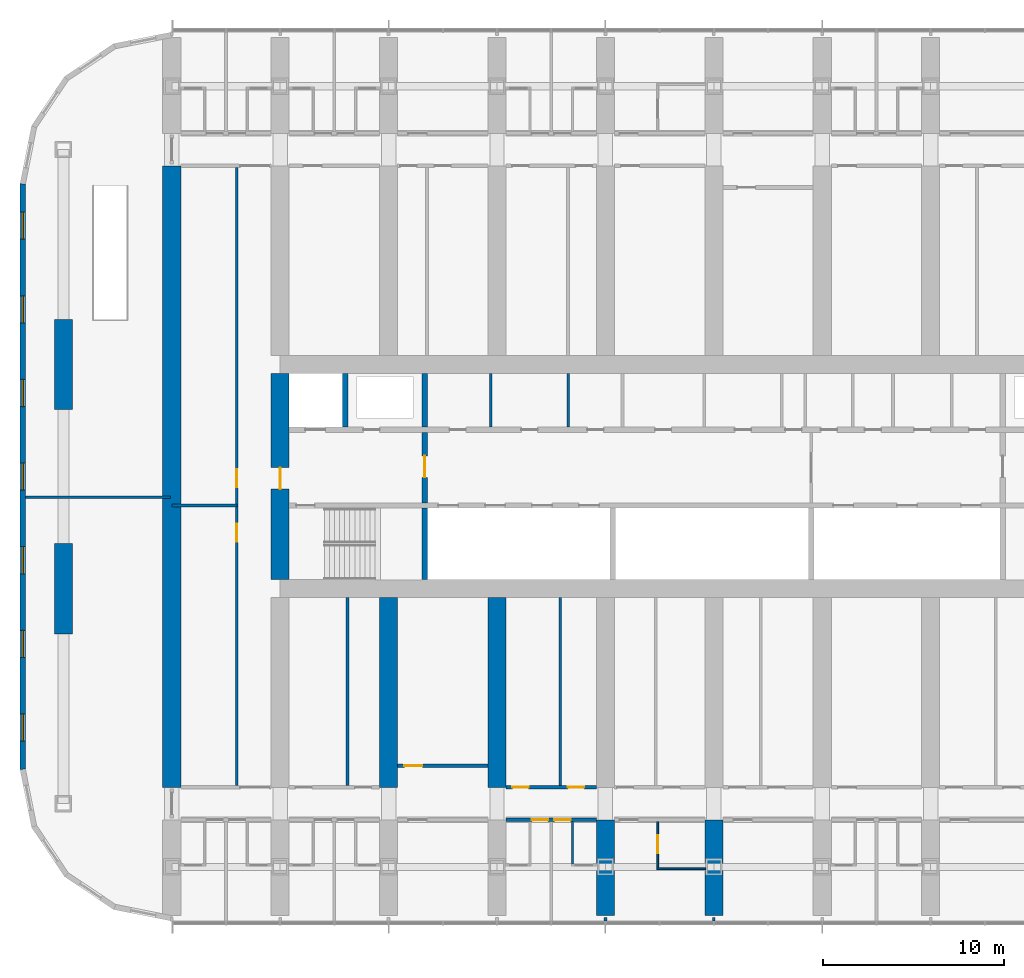
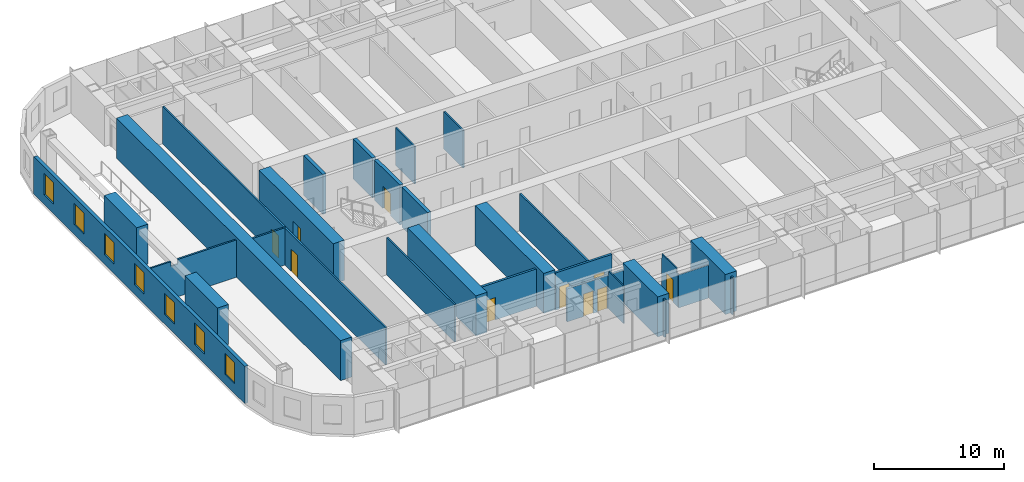
# One storey, part 11 of 24: 28 walls, 10 doors, 7 windows, 17 openings.
"""IFC4 building model written with IfcOpenShell, lengths in metres."""

from ifc_helpers import new_model, si_unit, direction, frame, frame_2d, origin, place, context, subcontext, project, spatial, polyline, rectangle, outline, extrude, material, layer, layer_set, type_object, element, fill, save


model = new_model("IFC4")

# Units and contexts
model_context = context("Model", 3, precision=1e-05, world=origin(), true_north=direction((0.0, 1.0)))
body_context = subcontext(model_context, "Body", "Model", "MODEL_VIEW")
ifc_project = project(units=[si_unit("LENGTHUNIT", "METRE"), si_unit("AREAUNIT", "SQUARE_METRE"), si_unit("VOLUMEUNIT", "CUBIC_METRE"), si_unit("PLANEANGLEUNIT", "RADIAN"), si_unit("MASSUNIT", "GRAM", prefix="KILO")], contexts=[model_context])

# Site, building, storey
site_placement = place(None, origin())
site = spatial("IfcSite", under=ifc_project, at=site_placement, CompositionType="ELEMENT")
building_placement = place(site_placement, origin())
building = spatial("IfcBuilding", under=site, at=building_placement, Name="Orbita Commons", CompositionType="ELEMENT")
storey_placement = place(building_placement, frame((0.0, 0.0, 27.699951171875)))
storey = spatial("IfcBuildingStorey", under=building, at=storey_placement, Name="L06", CompositionType="ELEMENT", Elevation=27.699951171875)

# Wall
ifc_material_1 = material(Name="Concrete C50/60", Category="concrete")
ifc_layer_1 = layer(ifc_material_1, 0.300048828125)
ifc_layer_set_1 = layer_set([ifc_layer_1], Name="Concrete C50/60")
wall_type_1 = type_object("IfcWallType", Name="Core inner wall 300 C50/60", PredefinedType="SHEAR", material=ifc_layer_set_1)
wall_1_placement = place(storey_placement, frame((26.0, 26.300048828125, 0.0), z_axis=(0.0, 0.0, 1.0), x_axis=(0.0, 1.0, 0.0)))
element("IfcWall", 1, at=wall_1_placement, inside=storey, type_object=wall_type_1, Name="Stair S1 wall L06", PredefinedType="SHEAR", context=body_context, shape_type="SweptSolid", body=[
    extrude(rectangle(XDim=3.949951171875, YDim=0.300048828125, at=frame_2d((1.97509765625, 0.0))), origin(), (0.0, 0.0, 1.0), 3.75),
])

# Wall, opening, door
wall_2_placement = place(storey_placement, frame((26.0, 30.550048828125, 0.0), z_axis=(0.0, 0.0, 1.0), x_axis=(0.0, 1.0, 0.0)))
wall_2 = element("IfcWall", 2, at=wall_2_placement, inside=storey, type_object=wall_type_1, Name="Firefighting lobby wall west L06", PredefinedType="SHEAR", context=body_context, shape_type="SweptSolid", body=[
    extrude(rectangle(XDim=3.89990234375, YDim=0.300048828125, at=frame_2d((1.949951171875, 0.0))), origin(), (0.0, 0.0, 1.0), 3.75),
])
opening_1_placement = place(wall_2_placement, frame((1.39990234375, 0.0, 0.0)))
opening_1 = element("IfcOpeningElement", 3, at=opening_1_placement, cuts=wall_2, Name="Opening D04", PredefinedType="OPENING", context=body_context, shape_type="SweptSolid", body=[
    extrude(rectangle(XDim=1.199951171875, YDim=2.10009765625, at=frame_2d((0.60009765625, 1.050048828125))), frame((0.0, 0.159912109375, 0.0), z_axis=(0.0, -1.0, 0.0), x_axis=(1.0, 0.0, 0.0)), (0.0, 0.0, 1.0), 0.320068359375),
])
ifc_material_2 = material(Name="Steel-faced fire door leaf", Category="steel")
door_type_1 = type_object("IfcDoorType", Name="Service door 20 min 1200x2100", OperationType="SINGLE_SWING_LEFT", PredefinedType="DOOR", material=ifc_material_2)
door_1_placement = place(opening_1_placement, origin())
door_1 = element("IfcDoor", 4, at=door_1_placement, inside=storey, type_object=door_type_1, Name="Lift lobby door west", OperationType="SINGLE_SWING_LEFT", OverallHeight=2.10009765625, OverallWidth=1.199951171875, PredefinedType="DOOR", context=body_context, shape_type="SweptSolid", body=[
    extrude(rectangle(XDim=1.199951171875, YDim=2.10009765625, at=frame_2d((0.60009765625, 1.050048828125))), frame((0.0, 0.02490234375, 0.0), z_axis=(0.0, -1.0, 0.0), x_axis=(1.0, 0.0, 0.0)), (0.0, 0.0, 1.0), 0.050048828125),
])
fill(opening_1, door_1)

# Walls
for number, where, z_axis, x_axis, name in (
    (5, (21.60009765625, 34.75, 0.0), (0.0, 0.0, 1.0), (0.0, 1.0, 0.0), "Firefighting lift FL1 shaft wall L06"),
    (6, (26.0, 34.75, 0.0), (0.0, 0.0, 1.0), (0.0, 1.0, 0.0), "Riser wall west L06"),
):
    element("IfcWall", number, at=place(storey_placement, frame(where, z_axis=z_axis, x_axis=x_axis)), inside=storey, type_object=wall_type_1, Name=name, PredefinedType="SHEAR", context=body_context, shape_type="SweptSolid", body=[
        extrude(rectangle(XDim=2.949951171875, YDim=0.300048828125, at=frame_2d((1.47509765625, 0.0))), origin(), (0.0, 0.0, 1.0), 3.75),
    ])
ifc_material_3 = material(Name="Concrete blockwork", Category="masonry")
ifc_layer_2 = layer(ifc_material_3, 0.14990234375)
ifc_layer_set_2 = layer_set([ifc_layer_2], Name="Concrete blockwork")
wall_type_2 = type_object("IfcWallType", Name="Core partition 150 blockwork", PredefinedType="SOLIDWALL", material=ifc_layer_set_2)
for number, where, z_axis, x_axis, name in (
    (7, (29.65087890625, 34.75, 0.0), (0.0, 0.0, 1.0), (0.0, 1.0, 0.0), "Core partition 150 blockwork L06"),
    (8, (33.9462890625, 34.75, 0.0), (0.0, 0.0, 1.0), (0.0, 1.0, 0.0), "Core partition 150 blockwork L06"),
):
    element("IfcWall", number, at=place(storey_placement, frame(where, z_axis=z_axis, x_axis=x_axis)), inside=storey, type_object=wall_type_2, Name=name, PredefinedType="SOLIDWALL", context=body_context, shape_type="SweptSolid", body=[
        extrude(rectangle(XDim=2.949951171875, YDim=0.14990234375, at=frame_2d((1.47509765625, 0.0))), origin(), (0.0, 0.0, 1.0), 3.5),
    ])

# Wall, opening, door
ifc_material_4 = material(Name="Concrete C50/60", Category="concrete")
ifc_layer_3 = layer(ifc_material_4, 1.0)
ifc_layer_set_3 = layer_set([ifc_layer_3], Name="Concrete C50/60")
wall_type_3 = type_object("IfcWallType", Name="Core wall 1000 C50/60", PredefinedType="SHEAR", material=ifc_layer_set_3)
wall_3_placement = place(storey_placement, frame((18.0, 26.300048828125, 0.0), z_axis=(0.0, 0.0, 1.0), x_axis=(0.0, 1.0, 0.0)))
wall_3 = element("IfcWall", 9, at=wall_3_placement, inside=storey, type_object=wall_type_3, Name="Core end wall west L06", PredefinedType="SHEAR", context=body_context, shape_type="SweptSolid", body=[
    extrude(rectangle(XDim=11.39990234375, YDim=1.0, at=frame_2d((5.699951171875, 0.0))), origin(), (0.0, 0.0, 1.0), 3.75),
])
opening_2_placement = place(wall_3_placement, frame((5.0, 0.0, 0.0)))
opening_2 = element("IfcOpeningElement", 10, at=opening_2_placement, cuts=wall_3, Name="Opening D01", PredefinedType="OPENING", context=body_context, shape_type="SweptSolid", body=[
    extrude(rectangle(XDim=1.199951171875, YDim=2.10009765625, at=frame_2d((0.60009765625, 1.050048828125))), frame((0.0, 0.510009765625, 0.0), z_axis=(0.0, -1.0, 0.0), x_axis=(1.0, 0.0, 0.0)), (0.0, 0.0, 1.0), 1.02001953125),
])
ifc_material_5 = material(Name="Steel-faced fire door leaf", Category="steel")
door_type_2 = type_object("IfcDoorType", Name="Fire door 90 min 1200x2100", OperationType="SINGLE_SWING_LEFT", PredefinedType="DOOR", material=ifc_material_5)
door_2_placement = place(opening_2_placement, origin())
door_2 = element("IfcDoor", 11, at=door_2_placement, inside=storey, type_object=door_type_2, Name="Firefighting lobby west door", OperationType="SINGLE_SWING_LEFT", OverallHeight=2.10009765625, OverallWidth=1.199951171875, PredefinedType="DOOR", context=body_context, shape_type="SweptSolid", body=[
    extrude(rectangle(XDim=1.199951171875, YDim=2.10009765625, at=frame_2d((0.60009765625, 1.050048828125))), frame((0.0, 0.02490234375, 0.0), z_axis=(0.0, -1.0, 0.0), x_axis=(1.0, 0.0, 0.0)), (0.0, 0.0, 1.0), 0.050048828125),
])
fill(opening_2, door_2)

# Wall, openings, doors
ifc_material_6 = material(Name="Concrete blockwork", Category="masonry")
ifc_layer_4 = layer(ifc_material_6, 0.199951171875)
ifc_layer_set_4 = layer_set([ifc_layer_4], Name="Concrete blockwork")
wall_type_4 = type_object("IfcWallType", Name="Corridor wall 200 blockwork", PredefinedType="SOLIDWALL", material=ifc_layer_set_4)
wall_4_placement = place(storey_placement, frame((30.5, 13.0, 0.0), z_axis=(0.0, 0.0, 1.0), x_axis=(1.0, 0.0, 0.0)))
wall_4 = element("IfcWall", 12, at=wall_4_placement, inside=storey, type_object=wall_type_4, Name="Corridor wall 200 blockwork L06", PredefinedType="SOLIDWALL", context=body_context, shape_type="SweptSolid", body=[
    extrude(outline(polyline([(0.0, 0.0), (5.0, 0.0), (5.0, 3.10009765625), (0.0, 3.10009765625), (0.0, 0.0)])), frame((0.0, 0.10009765625, 0.0), z_axis=(0.0, -1.0, 0.0), x_axis=(1.0, 0.0, 0.0)), (0.0, 0.0, 1.0), 0.199951171875),
])
opening_3_placement = place(wall_4_placement, frame((1.425048828125, 0.0, 0.0)))
opening_3 = element("IfcOpeningElement", 13, at=opening_3_placement, cuts=wall_4, Name="Opening D11", PredefinedType="OPENING", context=body_context, shape_type="SweptSolid", body=[
    extrude(rectangle(XDim=0.89990234375, YDim=2.10009765625, at=frame_2d((0.449951171875, 1.050048828125))), frame((0.0, 0.10986328125, 0.0), z_axis=(0.0, -1.0, 0.0), x_axis=(1.0, 0.0, 0.0)), (0.0, 0.0, 1.0), 0.219970703125),
])
opening_4_placement = place(wall_4_placement, frame((2.675048828125, 0.0, 0.0)))
opening_4 = element("IfcOpeningElement", 14, at=opening_4_placement, cuts=wall_4, Name="Opening D11", PredefinedType="OPENING", context=body_context, shape_type="SweptSolid", body=[
    extrude(rectangle(XDim=0.89990234375, YDim=2.10009765625, at=frame_2d((0.449951171875, 1.050048828125))), frame((0.0, 0.10986328125, 0.0), z_axis=(0.0, -1.0, 0.0), x_axis=(1.0, 0.0, 0.0)), (0.0, 0.0, 1.0), 0.219970703125),
])
ifc_material_7 = material(Name="Steel-faced fire door leaf", Category="steel")
door_type_3 = type_object("IfcDoorType", Name="Corridor door 20 min 900x2100", OperationType="SINGLE_SWING_LEFT", PredefinedType="DOOR", material=ifc_material_7)
door_3_placement = place(opening_3_placement, origin())
door_3 = element("IfcDoor", 15, at=door_3_placement, inside=storey, type_object=door_type_3, Name="House bedroom L06-S06 door", OperationType="SINGLE_SWING_LEFT", OverallHeight=2.10009765625, OverallWidth=0.89990234375, PredefinedType="DOOR", context=body_context, shape_type="SweptSolid", body=[
    extrude(rectangle(XDim=0.89990234375, YDim=2.10009765625, at=frame_2d((0.449951171875, 1.050048828125))), frame((0.0, 0.02490234375, 0.0), z_axis=(0.0, -1.0, 0.0), x_axis=(1.0, 0.0, 0.0)), (0.0, 0.0, 1.0), 0.050048828125),
])
fill(opening_3, door_3)
door_4_placement = place(opening_4_placement, origin())
door_4 = element("IfcDoor", 16, at=door_4_placement, inside=storey, type_object=door_type_3, Name="House bedroom L06-S07 door", OperationType="SINGLE_SWING_LEFT", OverallHeight=2.10009765625, OverallWidth=0.89990234375, PredefinedType="DOOR", context=body_context, shape_type="SweptSolid", body=[
    extrude(rectangle(XDim=0.89990234375, YDim=2.10009765625, at=frame_2d((0.449951171875, 1.050048828125))), frame((0.0, 0.02490234375, 0.0), z_axis=(0.0, -1.0, 0.0), x_axis=(1.0, 0.0, 0.0)), (0.0, 0.0, 1.0), 0.050048828125),
])
fill(opening_4, door_4)

ifc_material_8 = material(Name="Hollow concrete block 200", Category="concrete")
ifc_layer_5 = layer(ifc_material_8, 0.199951171875)
ifc_layer_set_5 = layer_set([ifc_layer_5], Name="Hollow concrete block 200")
wall_type_5 = type_object("IfcWallType", Name="Corridor wall 200 hollow concrete block", PredefinedType="SOLIDWALL", material=ifc_layer_set_5)
wall_5_placement = place(storey_placement, frame((30.5, 14.800048828125, 0.0), z_axis=(0.0, 0.0, 1.0), x_axis=(1.0, 0.0, 0.0)))
wall_5 = element("IfcWall", 17, at=wall_5_placement, inside=storey, type_object=wall_type_5, Name="Corridor wall 200 hollow concrete block L06", PredefinedType="SOLIDWALL", context=body_context, shape_type="SweptSolid", body=[
    extrude(rectangle(XDim=5.0, YDim=0.199951171875, at=frame_2d((2.5, 0.0))), origin(), (0.0, 0.0, 1.0), 3.5),
])
opening_5_placement = place(wall_5_placement, frame((0.35009765625, 0.0, 0.0)))
opening_5 = element("IfcOpeningElement", 18, at=opening_5_placement, cuts=wall_5, Name="Opening D11", PredefinedType="OPENING", context=body_context, shape_type="SweptSolid", body=[
    extrude(rectangle(XDim=0.89990234375, YDim=2.10009765625, at=frame_2d((0.449951171875, 1.050048828125))), frame((0.0, 0.10986328125, 0.0), z_axis=(0.0, -1.0, 0.0), x_axis=(1.0, 0.0, 0.0)), (0.0, 0.0, 1.0), 0.219970703125),
])
opening_6_placement = place(wall_5_placement, frame((3.425048828125, 0.0, 0.0)))
opening_6 = element("IfcOpeningElement", 19, at=opening_6_placement, cuts=wall_5, Name="Opening D11", PredefinedType="OPENING", context=body_context, shape_type="SweptSolid", body=[
    extrude(rectangle(XDim=0.89990234375, YDim=2.10009765625, at=frame_2d((0.449951171875, 1.050048828125))), frame((0.0, 0.10986328125, 0.0), z_axis=(0.0, -1.0, 0.0), x_axis=(1.0, 0.0, 0.0)), (0.0, 0.0, 1.0), 0.219970703125),
])
door_5_placement = place(opening_5_placement, origin())
door_5 = element("IfcDoor", 20, at=door_5_placement, inside=storey, type_object=door_type_3, Name="Water heater cupboard L06-BDS30n door", OperationType="SINGLE_SWING_LEFT", OverallHeight=2.10009765625, OverallWidth=0.89990234375, PredefinedType="DOOR", context=body_context, shape_type="SweptSolid", body=[
    extrude(rectangle(XDim=0.89990234375, YDim=2.10009765625, at=frame_2d((0.449951171875, 1.050048828125))), frame((0.0, 0.02490234375, 0.0), z_axis=(0.0, -1.0, 0.0), x_axis=(1.0, 0.0, 0.0)), (0.0, 0.0, 1.0), 0.050048828125),
])
fill(opening_5, door_5)
door_6_placement = place(opening_6_placement, origin())
door_6 = element("IfcDoor", 21, at=door_6_placement, inside=storey, type_object=door_type_3, Name="Bicycle repair workshop L06-BDS30 door", OperationType="SINGLE_SWING_LEFT", OverallHeight=2.10009765625, OverallWidth=0.89990234375, PredefinedType="DOOR", context=body_context, shape_type="SweptSolid", body=[
    extrude(rectangle(XDim=0.89990234375, YDim=2.10009765625, at=frame_2d((0.449951171875, 1.050048828125))), frame((0.0, 0.02490234375, 0.0), z_axis=(0.0, -1.0, 0.0), x_axis=(1.0, 0.0, 0.0)), (0.0, 0.0, 1.0), 0.050048828125),
])
fill(opening_6, door_6)

# Wall, opening, door
wall_6_placement = place(storey_placement, frame((24.5, 16.0, 0.0), z_axis=(0.0, 0.0, 1.0), x_axis=(1.0, 0.0, 0.0)))
wall_6 = element("IfcWall", 22, at=wall_6_placement, inside=storey, type_object=wall_type_5, Name="Corridor wall 200 hollow concrete block L06", PredefinedType="SOLIDWALL", context=body_context, shape_type="SweptSolid", body=[
    extrude(rectangle(XDim=5.0, YDim=0.199951171875, at=frame_2d((2.5, 0.0))), origin(), (0.0, 0.0, 1.0), 3.5),
])
opening_7_placement = place(wall_6_placement, frame((0.375, 0.0, 0.0)))
opening_7 = element("IfcOpeningElement", 23, at=opening_7_placement, cuts=wall_6, Name="Opening D06", PredefinedType="OPENING", context=body_context, shape_type="SweptSolid", body=[
    extrude(rectangle(XDim=1.0, YDim=2.10009765625, at=frame_2d((0.5, 1.050048828125))), frame((0.0, 0.10986328125, 0.0), z_axis=(0.0, -1.0, 0.0), x_axis=(1.0, 0.0, 0.0)), (0.0, 0.0, 1.0), 0.219970703125),
])
ifc_material_9 = material(Name="Steel-faced fire door leaf", Category="steel")
door_type_4 = type_object("IfcDoorType", Name="Corridor door 20 min 1000x2100", OperationType="SINGLE_SWING_LEFT", PredefinedType="DOOR", material=ifc_material_9)
door_7_placement = place(opening_7_placement, origin())
door_7 = element("IfcDoor", 24, at=door_7_placement, inside=storey, type_object=door_type_4, Name="Bulk and luggage store L06-BDS24 door", OperationType="SINGLE_SWING_LEFT", OverallHeight=2.10009765625, OverallWidth=1.0, PredefinedType="DOOR", context=body_context, shape_type="SweptSolid", body=[
    extrude(rectangle(XDim=1.0, YDim=2.10009765625, at=frame_2d((0.5, 1.050048828125))), frame((0.0, 0.02490234375, 0.0), z_axis=(0.0, -1.0, 0.0), x_axis=(1.0, 0.0, 0.0)), (0.0, 0.0, 1.0), 0.050048828125),
])
fill(opening_7, door_7)

# Walls
ifc_material_10 = material(Name="Concrete C50/60", Category="concrete")
ifc_layer_6 = layer(ifc_material_10, 1.0)
ifc_layer_set_6 = layer_set([ifc_layer_6], Name="Concrete C50/60")
wall_type_6 = type_object("IfcWallType", Name="Cross wall 1000 C50/60", PredefinedType="SHEAR", material=ifc_layer_set_6)
wall_7_placement = place(storey_placement, frame((12.0, 14.800048828125, 0.0), z_axis=(0.0, 0.0, 1.0), x_axis=(0.0, 1.0, 0.0)))
element("IfcWall", 25, at=wall_7_placement, inside=storey, type_object=wall_type_6, Name="Cross wall 3 inner L06", PredefinedType="SHEAR", context=body_context, shape_type="SweptSolid", body=[
    extrude(rectangle(XDim=34.39990234375, YDim=1.0, at=frame_2d((17.199951171875, 0.0))), origin(), (0.0, 0.0, 1.0), 3.75),
])
for number, where, z_axis, x_axis, name in (
    (26, (24.0, 14.800048828125, 0.0), (0.0, 0.0, 1.0), (0.0, 1.0, 0.0), "Cross wall 5 south inner L06"),
    (27, (30.0, 14.800048828125, 0.0), (0.0, 0.0, 1.0), (0.0, 1.0, 0.0), "Cross wall 6 south inner L06"),
):
    element("IfcWall", number, at=place(storey_placement, frame(where, z_axis=z_axis, x_axis=x_axis)), inside=storey, type_object=wall_type_6, Name=name, PredefinedType="SHEAR", context=body_context, shape_type="SweptSolid", body=[
        extrude(rectangle(XDim=10.5, YDim=1.0, at=frame_2d((5.25, 0.0))), origin(), (0.0, 0.0, 1.0), 3.75),
    ])
for number, where, z_axis, x_axis, name in (
    (28, (36.0, 7.699951171875, 0.0), (0.0, 0.0, 1.0), (0.0, 1.0, 0.0), "Cross wall 7 south outer L06"),
    (29, (42.0, 7.699951171875, 0.0), (0.0, 0.0, 1.0), (0.0, 1.0, 0.0), "Cross wall 8 south outer L06"),
):
    element("IfcWall", number, at=place(storey_placement, frame(where, z_axis=z_axis, x_axis=x_axis)), inside=storey, type_object=wall_type_6, Name=name, PredefinedType="SHEAR", context=body_context, shape_type="SweptSolid", body=[
        extrude(rectangle(XDim=5.300048828125, YDim=1.0, at=frame_2d((2.64990234375, 0.0))), origin(), (0.0, 0.0, 1.0), 3.75),
    ])
ifc_material_11 = material(Name="Moisture-resistant plasterboard on steel studs", Category="steel")
ifc_layer_7 = layer(ifc_material_11, 0.10009765625)
ifc_layer_set_7 = layer_set([ifc_layer_7], Name="Moisture-resistant plasterboard on steel studs")
wall_type_7 = type_object("IfcWallType", Name="En-suite partition 100", PredefinedType="PARTITIONING", material=ifc_layer_set_7)
wall_8_placement = place(storey_placement, frame((34.175048828125, 10.550048828125, 0.0), z_axis=(0.0, 0.0, 1.0), x_axis=(0.0, 1.0, 0.0)))
element("IfcWall", 30, at=wall_8_placement, inside=storey, type_object=wall_type_7, Name="En-suite partition 100 L06", PredefinedType="PARTITIONING", context=body_context, shape_type="SweptSolid", body=[
    extrude(outline(polyline([(0.0, 0.0), (2.349853515625, 0.0), (2.35009765625, 3.10009765625), (2.302001953125, 3.10009765625), (2.300048828125, 3.5), (0.052001953125, 3.5), (0.050048828125, 3.10009765625), (0.0, 3.10009765625), (0.0, 0.0)])), frame((0.0, 0.050048828125, 0.0), z_axis=(0.0, -1.0, 0.0), x_axis=(1.0, 0.0, 0.0)), (0.0, 0.0, 1.0), 0.10009765625),
])
wall_9_placement = place(storey_placement, frame((38.85009765625, 10.300048828125, 0.0), z_axis=(0.0, 0.0, 1.0), x_axis=(1.0, 0.0, 0.0)))
element("IfcWall", 31, at=wall_9_placement, inside=storey, type_object=wall_type_7, Name="En-suite partition 100 L06", PredefinedType="PARTITIONING", context=body_context, shape_type="SweptSolid", body=[
    extrude(outline(polyline([(0.0, 0.0), (2.699951171875, 0.0), (2.699951171875, 3.10009765625), (0.0, 3.10009765625), (0.0, 0.0)])), frame((0.0, 0.050048828125, 0.0), z_axis=(0.0, -1.0, 0.0), x_axis=(1.0, 0.0, 0.0)), (0.0, 0.0, 1.0), 0.10009765625),
])

# Wall, opening, door
wall_10_placement = place(storey_placement, frame((38.89990234375, 10.35009765625, 0.0), z_axis=(0.0, 0.0, 1.0), x_axis=(0.0, 1.0, 0.0)))
wall_10 = element("IfcWall", 32, at=wall_10_placement, inside=storey, type_object=wall_type_7, Name="En-suite partition 100 L06", PredefinedType="PARTITIONING", context=body_context, shape_type="SweptSolid", body=[
    extrude(outline(polyline([(0.0, 0.0), (2.5498046875, 0.0), (2.550048828125, 3.10009765625), (2.501953125, 3.10009765625), (2.5, 3.5), (0.251953125, 3.5), (0.25, 3.10009765625), (0.0, 3.10009765625), (0.0, 0.0)])), frame((0.0, 0.050048828125, 0.0), z_axis=(0.0, -1.0, 0.0), x_axis=(1.0, 0.0, 0.0)), (0.0, 0.0, 1.0), 0.10009765625),
])
opening_8_placement = place(wall_10_placement, frame((0.800048828125, 0.0, 0.0)))
opening_8 = element("IfcOpeningElement", 33, at=opening_8_placement, cuts=wall_10, Name="Opening D13", PredefinedType="OPENING", context=body_context, shape_type="SweptSolid", body=[
    extrude(rectangle(XDim=1.0, YDim=2.10009765625, at=frame_2d((0.5, 1.050048828125))), frame((0.0, 0.06005859375, 0.0), z_axis=(0.0, -1.0, 0.0), x_axis=(1.0, 0.0, 0.0)), (0.0, 0.0, 1.0), 0.1201171875),
])
ifc_material_12 = material(Name="Laminated timber door leaf", Category="wood")
door_type_5 = type_object("IfcDoorType", Name="En-suite door 1000x2100", OperationType="SINGLE_SWING_RIGHT", PredefinedType="DOOR", material=ifc_material_12)
door_8_placement = place(opening_8_placement, origin())
door_8 = element("IfcDoor", 34, at=door_8_placement, inside=storey, type_object=door_type_5, Name="Accessible shower room L06-S08 door", OperationType="SINGLE_SWING_RIGHT", OverallHeight=2.10009765625, OverallWidth=1.0, PredefinedType="DOOR", context=body_context, shape_type="SweptSolid", body=[
    extrude(rectangle(XDim=1.0, YDim=2.10009765625, at=frame_2d((0.5, 1.050048828125))), frame((0.0, 0.02490234375, 0.0), z_axis=(0.0, -1.0, 0.0), x_axis=(1.0, 0.0, 0.0)), (0.0, 0.0, 1.0), 0.050048828125),
])
fill(opening_8, door_8)

# Walls
ifc_material_13 = material(Name="Concrete C50/60", Category="concrete")
ifc_layer_8 = layer(ifc_material_13, 1.0)
ifc_layer_set_8 = layer_set([ifc_layer_8], Name="Concrete C50/60")
wall_type_8 = type_object("IfcWallType", Name="End pier 1000x5000 C50/60", PredefinedType="SHEAR", material=ifc_layer_set_8)
for number, where, z_axis, x_axis, name in (
    (35, (6.0, 23.300048828125, 0.0), (0.0, 0.0, 1.0), (0.0, 1.0, 0.0), "End pier 2/C L06"),
    (36, (6.0, 35.699951171875, 0.0), (0.0, 0.0, 1.0), (0.0, 1.0, 0.0), "End pier 2/D L06"),
):
    element("IfcWall", number, at=place(storey_placement, frame(where, z_axis=z_axis, x_axis=x_axis)), inside=storey, type_object=wall_type_8, Name=name, PredefinedType="SHEAR", context=body_context, shape_type="SweptSolid", body=[
        extrude(rectangle(XDim=5.0, YDim=1.0, at=frame_2d((2.5, 0.0))), origin(), (0.0, 0.0, 1.0), 3.75),
    ])
ifc_material_14 = material(Name="Gypsum plasterboard on steel studs", Category="steel")
ifc_layer_9 = layer(ifc_material_14, 0.14990234375)
ifc_layer_set_9 = layer_set([ifc_layer_9], Name="Gypsum plasterboard on steel studs")
wall_type_9 = type_object("IfcWallType", Name="Partition 150 plasterboard", PredefinedType="PARTITIONING", material=ifc_layer_set_9)
for number, where, z_axis, x_axis, name in (
    (37, (21.72509765625, 14.89990234375, 0.0), (0.0, 0.0, 1.0), (0.0, 1.0, 0.0), "Partition 150 plasterboard L06"),
    (38, (33.5, 14.89990234375, 0.0), (0.0, 0.0, 1.0), (0.0, 1.0, 0.0), "Partition 150 plasterboard L06"),
):
    element("IfcWall", number, at=place(storey_placement, frame(where, z_axis=z_axis, x_axis=x_axis)), inside=storey, type_object=wall_type_9, Name=name, PredefinedType="PARTITIONING", context=body_context, shape_type="SweptSolid", body=[
        extrude(rectangle(XDim=10.400146484375, YDim=0.14990234375, at=frame_2d((5.2001953125, 0.0))), origin(), (0.0, 0.0, 1.0), 3.5),
    ])

# Wall, openings, doors
wall_11_placement = place(storey_placement, frame((15.60009765625, 14.89990234375, 0.0), z_axis=(0.0, 0.0, 1.0), x_axis=(0.0, 1.0, 0.0)))
wall_11 = element("IfcWall", 39, at=wall_11_placement, inside=storey, type_object=wall_type_9, Name="Partition 150 plasterboard L06", PredefinedType="PARTITIONING", context=body_context, shape_type="SweptSolid", body=[
    extrude(rectangle(XDim=34.2001953125, YDim=0.14990234375, at=frame_2d((17.10009765625, 0.0))), origin(), (0.0, 0.0, 1.0), 3.5),
])
opening_9_placement = place(wall_11_placement, frame((13.5, 0.0, 0.0)))
opening_9 = element("IfcOpeningElement", 40, at=opening_9_placement, cuts=wall_11, Name="Opening D06", PredefinedType="OPENING", context=body_context, shape_type="SweptSolid", body=[
    extrude(rectangle(XDim=1.0, YDim=2.10009765625, at=frame_2d((0.5, 1.050048828125))), frame((0.0, 0.0849609375, 0.0), z_axis=(0.0, -1.0, 0.0), x_axis=(1.0, 0.0, 0.0)), (0.0, 0.0, 1.0), 0.169921875),
])
opening_10_placement = place(wall_11_placement, frame((16.5, 0.0, 0.0)))
opening_10 = element("IfcOpeningElement", 41, at=opening_10_placement, cuts=wall_11, Name="Opening D06", PredefinedType="OPENING", context=body_context, shape_type="SweptSolid", body=[
    extrude(rectangle(XDim=1.0, YDim=2.10009765625, at=frame_2d((0.5, 1.050048828125))), frame((0.0, 0.0849609375, 0.0), z_axis=(0.0, -1.0, 0.0), x_axis=(1.0, 0.0, 0.0)), (0.0, 0.0, 1.0), 0.169921875),
])
door_9_placement = place(opening_9_placement, origin())
door_9 = element("IfcDoor", 42, at=door_9_placement, inside=storey, type_object=door_type_4, Name="Interview room door", OperationType="SINGLE_SWING_LEFT", OverallHeight=2.10009765625, OverallWidth=1.0, PredefinedType="DOOR", context=body_context, shape_type="SweptSolid", body=[
    extrude(rectangle(XDim=1.0, YDim=2.10009765625, at=frame_2d((0.5, 1.050048828125))), frame((0.0, 0.02490234375, 0.0), z_axis=(0.0, -1.0, 0.0), x_axis=(1.0, 0.0, 0.0)), (0.0, 0.0, 1.0), 0.050048828125),
])
fill(opening_9, door_9)
door_10_placement = place(opening_10_placement, origin())
door_10 = element("IfcDoor", 43, at=door_10_placement, inside=storey, type_object=door_type_4, Name="Residents' storage room door", OperationType="SINGLE_SWING_LEFT", OverallHeight=2.10009765625, OverallWidth=1.0, PredefinedType="DOOR", context=body_context, shape_type="SweptSolid", body=[
    extrude(rectangle(XDim=1.0, YDim=2.10009765625, at=frame_2d((0.5, 1.050048828125))), frame((0.0, 0.02490234375, 0.0), z_axis=(0.0, -1.0, 0.0), x_axis=(1.0, 0.0, 0.0)), (0.0, 0.0, 1.0), 0.050048828125),
])
fill(opening_10, door_10)

# Walls
wall_12_placement = place(storey_placement, frame((12.0, 30.39990234375, 0.0), z_axis=(0.0, 0.0, 1.0), x_axis=(1.0, 0.0, 0.0)))
element("IfcWall", 44, at=wall_12_placement, inside=storey, type_object=wall_type_9, Name="Partition 150 plasterboard L06", PredefinedType="PARTITIONING", context=body_context, shape_type="SweptSolid", body=[
    extrude(rectangle(XDim=3.60009765625, YDim=0.14990234375, at=frame_2d((1.800048828125, 0.0))), origin(), (0.0, 0.0, 1.0), 3.5),
])
wall_13_placement = place(storey_placement, frame((3.905029296875, 30.85009765625, 0.0), z_axis=(0.0, 0.0, 1.0), x_axis=(1.0, 0.0, 0.0)))
element("IfcWall", 45, at=wall_13_placement, inside=storey, type_object=wall_type_9, Name="Partition 150 plasterboard L06", PredefinedType="PARTITIONING", context=body_context, shape_type="SweptSolid", body=[
    extrude(outline(polyline([(0.0, 0.0), (8.02001953125, 0.0), (8.02001953125, 3.5), (2.39697265625, 3.5), (2.39501953125, 3.050048828125), (1.797119140625, 3.050048828125), (1.794921875, 3.5), (0.0, 3.5), (0.0, 0.0)])), frame((0.0, 0.074951171875, 0.0), z_axis=(0.0, -1.0, 0.0), x_axis=(1.0, 0.0, 0.0)), (0.0, 0.0, 1.0), 0.14990234375),
])
for number, where, z_axis, x_axis, name in (
    (46, (36.0, 7.60009765625, 0.0), (0.0, 0.0, 1.0), (0.0, -1.0, 0.0), "Partition 150 plasterboard L06"),
    (47, (42.0, 7.60009765625, 0.0), (0.0, 0.0, 1.0), (0.0, -1.0, 0.0), "Partition 150 plasterboard L06"),
):
    element("IfcWall", number, at=place(storey_placement, frame(where, z_axis=z_axis, x_axis=x_axis)), inside=storey, type_object=wall_type_9, Name=name, PredefinedType="PARTITIONING", context=body_context, shape_type="SweptSolid", body=[
        extrude(rectangle(XDim=0.190185546875, YDim=0.14990234375, at=frame_2d((0.09521484375, 0.0))), origin(), (0.0, 0.0, 1.0), 3.5),
    ])

# Wall, openings, windows
ifc_material_15 = material(Name="Precast concrete C40/50, white board-marked finish", Category="concrete")
ifc_layer_10 = layer(ifc_material_15, 0.300048828125)
ifc_layer_set_10 = layer_set([ifc_layer_10], Name="Precast concrete C40/50, white board-marked finish")
wall_type_10 = type_object("IfcWallType", Name="Precast concrete end shield 300", PredefinedType="SOLIDWALL", material=ifc_layer_set_10)
wall_14_placement = place(storey_placement, frame((3.75, 48.199951171875, 0.0), z_axis=(0.0, 0.0, 1.0), x_axis=(0.0, -1.0, 0.0)))
wall_14 = element("IfcWall", 48, at=wall_14_placement, inside=storey, type_object=wall_type_10, Name="End shield W L06", PredefinedType="SOLIDWALL", context=body_context, shape_type="SweptSolid", body=[
    extrude(outline(polyline([(-0.014892578125, -0.14990234375), (32.414794921875, -0.14990234375), (32.385009765625, 0.14990234375), (0.014892578125, 0.14990234375), (-0.014892578125, -0.14990234375)])), origin(), (0.0, 0.0, 1.0), 3.5),
])
opening_11_placement = place(wall_14_placement, frame((1.564208984375, 0.0, 0.89990234375)))
opening_11 = element("IfcOpeningElement", 49, at=opening_11_placement, cuts=wall_14, Name="Opening W01", PredefinedType="OPENING", context=body_context, shape_type="SweptSolid", body=[
    extrude(rectangle(XDim=1.5, YDim=2.0, at=frame_2d((0.75, 1.0))), frame((0.0, 0.159912109375, 0.0), z_axis=(0.0, -1.0, 0.0), x_axis=(1.0, 0.0, 0.0)), (0.0, 0.0, 1.0), 0.320068359375),
])
opening_12_placement = place(wall_14_placement, frame((6.19287109375, 0.0, 0.89990234375)))
opening_12 = element("IfcOpeningElement", 50, at=opening_12_placement, cuts=wall_14, Name="Opening W01", PredefinedType="OPENING", context=body_context, shape_type="SweptSolid", body=[
    extrude(rectangle(XDim=1.5, YDim=2.0, at=frame_2d((0.75, 1.0))), frame((0.0, 0.159912109375, 0.0), z_axis=(0.0, -1.0, 0.0), x_axis=(1.0, 0.0, 0.0)), (0.0, 0.0, 1.0), 0.320068359375),
])
opening_13_placement = place(wall_14_placement, frame((10.821533203125, 0.0, 0.89990234375)))
opening_13 = element("IfcOpeningElement", 51, at=opening_13_placement, cuts=wall_14, Name="Opening W01", PredefinedType="OPENING", context=body_context, shape_type="SweptSolid", body=[
    extrude(rectangle(XDim=1.5, YDim=2.0, at=frame_2d((0.75, 1.0))), frame((0.0, 0.159912109375, 0.0), z_axis=(0.0, -1.0, 0.0), x_axis=(1.0, 0.0, 0.0)), (0.0, 0.0, 1.0), 0.320068359375),
])
opening_14_placement = place(wall_14_placement, frame((15.449951171875, 0.0, 0.89990234375)))
opening_14 = element("IfcOpeningElement", 52, at=opening_14_placement, cuts=wall_14, Name="Opening W01", PredefinedType="OPENING", context=body_context, shape_type="SweptSolid", body=[
    extrude(rectangle(XDim=1.5, YDim=2.0, at=frame_2d((0.75, 1.0))), frame((0.0, 0.159912109375, 0.0), z_axis=(0.0, -1.0, 0.0), x_axis=(1.0, 0.0, 0.0)), (0.0, 0.0, 1.0), 0.320068359375),
])
opening_15_placement = place(wall_14_placement, frame((20.07861328125, 0.0, 0.89990234375)))
opening_15 = element("IfcOpeningElement", 53, at=opening_15_placement, cuts=wall_14, Name="Opening W01", PredefinedType="OPENING", context=body_context, shape_type="SweptSolid", body=[
    extrude(rectangle(XDim=1.5, YDim=2.0, at=frame_2d((0.75, 1.0))), frame((0.0, 0.159912109375, 0.0), z_axis=(0.0, -1.0, 0.0), x_axis=(1.0, 0.0, 0.0)), (0.0, 0.0, 1.0), 0.320068359375),
])
opening_16_placement = place(wall_14_placement, frame((24.70703125, 0.0, 0.89990234375)))
opening_16 = element("IfcOpeningElement", 54, at=opening_16_placement, cuts=wall_14, Name="Opening W01", PredefinedType="OPENING", context=body_context, shape_type="SweptSolid", body=[
    extrude(rectangle(XDim=1.5, YDim=2.0, at=frame_2d((0.75, 1.0))), frame((0.0, 0.159912109375, 0.0), z_axis=(0.0, -1.0, 0.0), x_axis=(1.0, 0.0, 0.0)), (0.0, 0.0, 1.0), 0.320068359375),
])
opening_17_placement = place(wall_14_placement, frame((29.335693359375, 0.0, 0.89990234375)))
opening_17 = element("IfcOpeningElement", 55, at=opening_17_placement, cuts=wall_14, Name="Opening W01", PredefinedType="OPENING", context=body_context, shape_type="SweptSolid", body=[
    extrude(rectangle(XDim=1.5, YDim=2.0, at=frame_2d((0.75, 1.0))), frame((0.0, 0.159912109375, 0.0), z_axis=(0.0, -1.0, 0.0), x_axis=(1.0, 0.0, 0.0)), (0.0, 0.0, 1.0), 0.320068359375),
])
ifc_material_16 = material(Name="Aluminium frame, clear double glazing", Category="aluminium")
window_type = type_object("IfcWindowType", Name="Deep-set window 1500x2000", PartitioningType="SINGLE_PANEL", PredefinedType="WINDOW", material=ifc_material_16)
window_1_placement = place(opening_11_placement, origin())
window_1 = element("IfcWindow", 56, at=window_1_placement, inside=storey, type_object=window_type, Name="Window L06-W 1", OverallHeight=2.0, OverallWidth=1.5, PartitioningType="SINGLE_PANEL", PredefinedType="WINDOW", context=body_context, shape_type="SweptSolid", body=[
    extrude(rectangle(XDim=1.5, YDim=2.0, at=frame_2d((0.75, 1.0))), frame((0.0, 0.030029296875, 0.0), z_axis=(0.0, -1.0, 0.0), x_axis=(1.0, 0.0, 0.0)), (0.0, 0.0, 1.0), 0.06005859375),
])
fill(opening_11, window_1)
window_2_placement = place(opening_12_placement, origin())
window_2 = element("IfcWindow", 57, at=window_2_placement, inside=storey, type_object=window_type, Name="Window L06-W 2", OverallHeight=2.0, OverallWidth=1.5, PartitioningType="SINGLE_PANEL", PredefinedType="WINDOW", context=body_context, shape_type="SweptSolid", body=[
    extrude(rectangle(XDim=1.5, YDim=2.0, at=frame_2d((0.75, 1.0))), frame((0.0, 0.030029296875, 0.0), z_axis=(0.0, -1.0, 0.0), x_axis=(1.0, 0.0, 0.0)), (0.0, 0.0, 1.0), 0.06005859375),
])
fill(opening_12, window_2)
window_3_placement = place(opening_13_placement, origin())
window_3 = element("IfcWindow", 58, at=window_3_placement, inside=storey, type_object=window_type, Name="Window L06-W 3", OverallHeight=2.0, OverallWidth=1.5, PartitioningType="SINGLE_PANEL", PredefinedType="WINDOW", context=body_context, shape_type="SweptSolid", body=[
    extrude(rectangle(XDim=1.5, YDim=2.0, at=frame_2d((0.75, 1.0))), frame((0.0, 0.030029296875, 0.0), z_axis=(0.0, -1.0, 0.0), x_axis=(1.0, 0.0, 0.0)), (0.0, 0.0, 1.0), 0.06005859375),
])
fill(opening_13, window_3)
window_4_placement = place(opening_14_placement, origin())
window_4 = element("IfcWindow", 59, at=window_4_placement, inside=storey, type_object=window_type, Name="Window L06-W 4", OverallHeight=2.0, OverallWidth=1.5, PartitioningType="SINGLE_PANEL", PredefinedType="WINDOW", context=body_context, shape_type="SweptSolid", body=[
    extrude(rectangle(XDim=1.5, YDim=2.0, at=frame_2d((0.75, 1.0))), frame((0.0, 0.030029296875, 0.0), z_axis=(0.0, -1.0, 0.0), x_axis=(1.0, 0.0, 0.0)), (0.0, 0.0, 1.0), 0.06005859375),
])
fill(opening_14, window_4)
window_5_placement = place(opening_15_placement, origin())
window_5 = element("IfcWindow", 60, at=window_5_placement, inside=storey, type_object=window_type, Name="Window L06-W 5", OverallHeight=2.0, OverallWidth=1.5, PartitioningType="SINGLE_PANEL", PredefinedType="WINDOW", context=body_context, shape_type="SweptSolid", body=[
    extrude(rectangle(XDim=1.5, YDim=2.0, at=frame_2d((0.75, 1.0))), frame((0.0, 0.030029296875, 0.0), z_axis=(0.0, -1.0, 0.0), x_axis=(1.0, 0.0, 0.0)), (0.0, 0.0, 1.0), 0.06005859375),
])
fill(opening_15, window_5)
window_6_placement = place(opening_16_placement, origin())
window_6 = element("IfcWindow", 61, at=window_6_placement, inside=storey, type_object=window_type, Name="Window L06-W 6", OverallHeight=2.0, OverallWidth=1.5, PartitioningType="SINGLE_PANEL", PredefinedType="WINDOW", context=body_context, shape_type="SweptSolid", body=[
    extrude(rectangle(XDim=1.5, YDim=2.0, at=frame_2d((0.75, 1.0))), frame((0.0, 0.030029296875, 0.0), z_axis=(0.0, -1.0, 0.0), x_axis=(1.0, 0.0, 0.0)), (0.0, 0.0, 1.0), 0.06005859375),
])
fill(opening_16, window_6)
window_7_placement = place(opening_17_placement, origin())
window_7 = element("IfcWindow", 62, at=window_7_placement, inside=storey, type_object=window_type, Name="Window L06-W 7", OverallHeight=2.0, OverallWidth=1.5, PartitioningType="SINGLE_PANEL", PredefinedType="WINDOW", context=body_context, shape_type="SweptSolid", body=[
    extrude(rectangle(XDim=1.5, YDim=2.0, at=frame_2d((0.75, 1.0))), frame((0.0, 0.030029296875, 0.0), z_axis=(0.0, -1.0, 0.0), x_axis=(1.0, 0.0, 0.0)), (0.0, 0.0, 1.0), 0.06005859375),
])
fill(opening_17, window_7)

save(model, "model.ifc")
